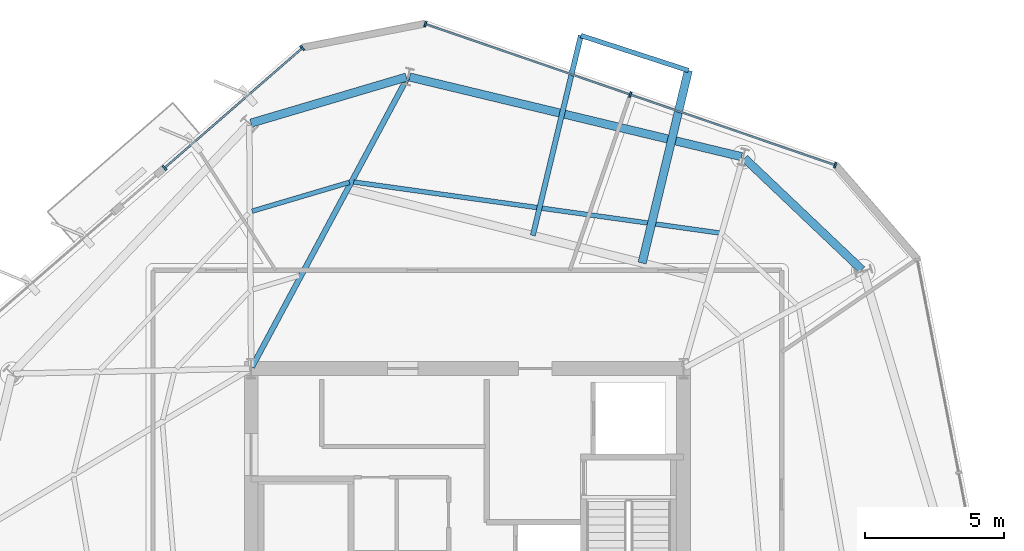
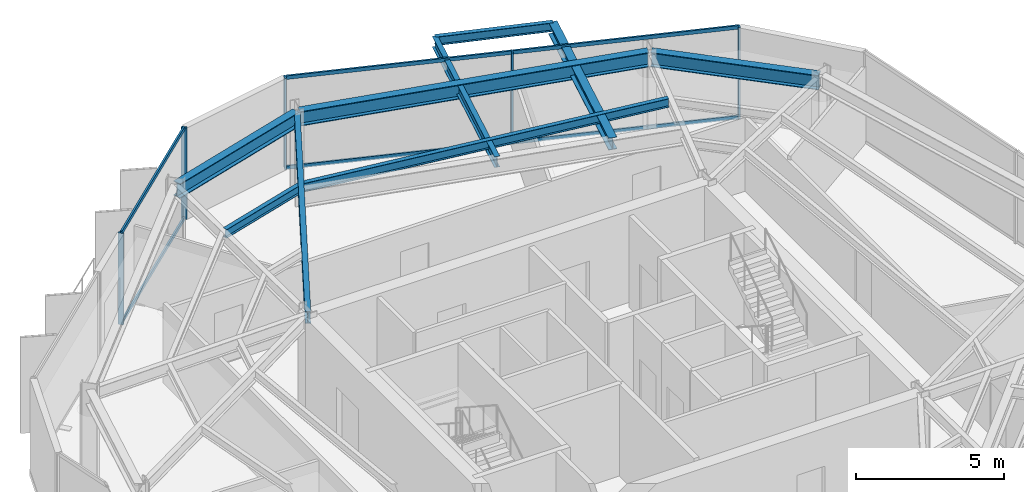
# One storey, part 5 of 11: 11 members, 9 beams, 2 elements without a shape of their own.
"""IFC4 building model written with IfcOpenShell, lengths in metres."""

import ifcopenshell
import ifcopenshell.guid

model = None  # the IFC model being written
_history = None  # IfcOwnerHistory: only IFC2X3 demands one
_inside = {}  # id of a spatial element -> (the spatial element, [elements in it])
_under = {}  # id of a project, library or spatial element -> (it, [spatial elements below it])
_declared = {}  # id of a project -> (the project, [libraries it declares])
_typed = {}  # id of a type object -> (the type object, [elements of that type])
_made_of = {}  # id of a material, layer set ... -> (it, [elements and type objects made of it])


def new_model(schema):
    """Start an empty IFC model of exactly this schema.

    Asked for "IFC4X3", IfcOpenShell would pick the latest addendum, in which some entities
    have other attributes; the version numbers below select the first issue.
    IFC2X3 requires an IfcOwnerHistory on every rooted entity: one is made here for all.
    """
    global model, _history
    if schema == "IFC4X3":
        model = ifcopenshell.file(schema_version=(4, 3, 0, 0))
    else:
        model = ifcopenshell.file(schema=schema)
    _inside.clear()
    _under.clear()
    _declared.clear()
    _typed.clear()
    _made_of.clear()
    _history = None
    if model.schema == "IFC2X3":
        org = make("IfcOrganization", Name="unknown")
        user = make(
            "IfcPersonAndOrganization",
            ThePerson=make("IfcPerson", FamilyName="unknown"),
            TheOrganization=org,
        )
        app = make(
            "IfcApplication",
            ApplicationDeveloper=org,
            Version="unknown",
            ApplicationFullName="unknown",
            ApplicationIdentifier="unknown",
        )
        _history = make(
            "IfcOwnerHistory",
            OwningUser=user,
            OwningApplication=app,
            ChangeAction="ADDED",
            CreationDate=0,
        )
    return model


def make(cls, **values):
    """One entity of the class cls with the attributes given. An attribute that is None is left unset."""
    return model.create_entity(
        cls, **{name: value for name, value in values.items() if value is not None}
    )


def rooted(cls, **values):
    """An entity with a GlobalId (a new one), such as an element, a storey or a relation."""
    return make(cls, GlobalId=ifcopenshell.guid.new(), OwnerHistory=_history, **values)


def si_unit(unit_type, name, prefix=None):
    """IfcSIUnit, for example si_unit("LENGTHUNIT", "METRE", prefix="MILLI")."""
    return make("IfcSIUnit", UnitType=unit_type, Prefix=prefix, Name=name)


def assignment(units):
    """IfcUnitAssignment: the units of a project."""
    return None if units is None else make("IfcUnitAssignment", Units=units)


def point(xyz):
    """IfcCartesianPoint."""
    return None if xyz is None else make("IfcCartesianPoint", Coordinates=xyz)


def direction(xyz):
    """IfcDirection."""
    return None if xyz is None else make("IfcDirection", DirectionRatios=xyz)


def frame(location, z_axis=None, x_axis=None):
    """IfcAxis2Placement3D, a coordinate frame: its origin and axes. An axis left out is left unset."""
    return make(
        "IfcAxis2Placement3D",
        Location=point(location),
        Axis=direction(z_axis),
        RefDirection=direction(x_axis),
    )


def frame_2d(location, x_axis=None):
    """IfcAxis2Placement2D, a coordinate frame in the plane: its origin and x axis."""
    return make(
        "IfcAxis2Placement2D", Location=point(location), RefDirection=direction(x_axis)
    )


def origin():
    """The frame at (0, 0, 0) with its axes left unset."""
    return frame((0.0, 0.0, 0.0))


def origin_2d():
    """The frame at (0, 0) in the plane with its x axis left unset."""
    return frame_2d((0.0, 0.0))


def place(relative_to, where):
    """IfcLocalPlacement: puts the frame where relative to a parent placement (None: the world)."""
    return make(
        "IfcLocalPlacement", PlacementRelTo=relative_to, RelativePlacement=where
    )


def context(
    kind, dimensions, precision=None, world=None, true_north=None, identifier=None
):
    """IfcGeometricRepresentationContext, for example the 3D "Model" context."""
    return make(
        "IfcGeometricRepresentationContext",
        ContextIdentifier=identifier,
        ContextType=kind,
        CoordinateSpaceDimension=dimensions,
        Precision=precision,
        WorldCoordinateSystem=world,
        TrueNorth=true_north,
    )


def subcontext(parent, identifier, kind, view, scale=None):
    """IfcGeometricRepresentationSubContext, for example "Body" below "Model"."""
    return make(
        "IfcGeometricRepresentationSubContext",
        ContextIdentifier=identifier,
        ContextType=kind,
        ParentContext=parent,
        TargetScale=scale,
        TargetView=view,
    )


def project(units=None, contexts=None):
    """IfcProject with its units and contexts."""
    return rooted(
        "IfcProject",
        Name="project",
        RepresentationContexts=contexts,
        UnitsInContext=assignment(units),
    )


def spatial(cls, under=None, at=None, **own):
    """A site, building, storey or space (cls), placed at a placement, below another one or the project."""
    s = rooted(cls, ObjectPlacement=at, **own)
    if under is not None:
        _under.setdefault(under.id(), (under, []))[1].append(s)
    return s


def profile(cls, at=None, kind="AREA", **sizes):
    """A parametric profile (cls). Its sizes go by their IFC names, for example OverallWidth=200.0."""
    return make(cls, ProfileType=kind, Position=at, **sizes)


def rectangle(**sizes):
    """IfcRectangleProfileDef."""
    return profile("IfcRectangleProfileDef", **sizes)


def i_section(**sizes):
    """IfcIShapeProfileDef."""
    return profile("IfcIShapeProfileDef", **sizes)


def extrude(swept, where, along, depth):
    """IfcExtrudedAreaSolid: the profile swept, set in the frame where, extruded along a direction by depth."""
    return make(
        "IfcExtrudedAreaSolid",
        SweptArea=swept,
        Position=where,
        ExtrudedDirection=direction(along),
        Depth=depth,
    )


def shape(context_of_items, identifier, shape_type, items):
    """IfcShapeRepresentation: the items that make up one representation, for example the "Body"."""
    return make(
        "IfcShapeRepresentation",
        ContextOfItems=context_of_items,
        RepresentationIdentifier=identifier,
        RepresentationType=shape_type,
        Items=items,
    )


def material(Name=None, Category=None):
    """IfcMaterial."""
    return make("IfcMaterial", Name=Name, Category=Category)


def layer(
    of_material, thickness, ventilated=None, Name=None, Category=None, Priority=None
):
    """IfcMaterialLayer: one layer of a wall or slab, of a material (None: an air gap)."""
    return make(
        "IfcMaterialLayer",
        Material=of_material,
        LayerThickness=thickness,
        IsVentilated=ventilated,
        Name=Name,
        Category=Category,
        Priority=Priority,
    )


def layer_set(layers, Name=None):
    """IfcMaterialLayerSet."""
    return make("IfcMaterialLayerSet", MaterialLayers=layers, LayerSetName=Name)


def material_profile(
    of_material, cross_section, Name=None, Category=None, Priority=None
):
    """IfcMaterialProfile: a cross section and its material."""
    return make(
        "IfcMaterialProfile",
        Name=Name,
        Material=of_material,
        Profile=cross_section,
        Priority=Priority,
        Category=Category,
    )


def profile_set(profiles, Name=None, composite=None):
    """IfcMaterialProfileSet."""
    return make(
        "IfcMaterialProfileSet",
        Name=Name,
        MaterialProfiles=profiles,
        CompositeProfile=composite,
    )


def made_of(thing, what):
    """Note that an element or type object is made of a material, layer set ...; save() writes the relation."""
    if what is not None:
        _made_of.setdefault(what.id(), (what, []))[1].append(thing)
    return thing


def type_object(cls, material=None, **own):
    """A type object (cls), such as IfcWallType, which elements share."""
    return made_of(rooted(cls, **own), material)


def element(
    cls,
    number,
    at=None,
    inside=None,
    cuts=None,
    type_object=None,
    material=None,
    context=None,
    identifier="Body",
    shape_type=None,
    held_by="IfcProductDefinitionShape",
    body=None,
    shapes=None,
    **own,
):
    """One element of the class cls, such as IfcWall. Its Tag is "e" and its number.

    at: its placement. inside: the storey or other place that contains it. cuts: it is an
    opening in that element (IfcRelVoidsElement). A single representation is given by context,
    identifier, shape_type and body (its items); several are given by shapes. held_by: the class
    of the entity that holds the representations. save() writes the other relations.
    """
    e = rooted(cls, Tag="e%d" % number, ObjectPlacement=at, **own)
    if body is not None:
        shapes = [shape(context, identifier, shape_type, body)]
    if shapes is not None:
        e.Representation = make(held_by, Representations=shapes)
    if inside is not None:
        _inside.setdefault(inside.id(), (inside, []))[1].append(e)
    if cuts is not None:
        rooted(
            "IfcRelVoidsElement", RelatingBuildingElement=cuts, RelatedOpeningElement=e
        )
    if type_object is not None:
        _typed.setdefault(type_object.id(), (type_object, []))[1].append(e)
    return made_of(e, material)


def aggregate(whole, parts):
    """IfcRelAggregates: a whole, such as a stair, and the parts it consists of."""
    return rooted("IfcRelAggregates", RelatingObject=whole, RelatedObjects=parts)


def save(model, path):
    """Write the relations noted so far, then the file.

    IfcRelAggregates (storeys below a building ...), IfcRelContainedInSpatialStructure (elements
    in a storey), IfcRelDefinesByType, IfcRelAssociatesMaterial and IfcRelDeclares: one each for
    every whole, place, type object, material and project.
    """
    for whole, parts in _under.values():
        aggregate(whole, parts)
    for where, things in _inside.values():
        rooted(
            "IfcRelContainedInSpatialStructure",
            RelatedElements=things,
            RelatingStructure=where,
        )
    for kind, things in _typed.values():
        rooted("IfcRelDefinesByType", RelatedObjects=things, RelatingType=kind)
    for what, things in _made_of.values():
        rooted("IfcRelAssociatesMaterial", RelatedObjects=things, RelatingMaterial=what)
    for by, libraries in _declared.values():
        rooted("IfcRelDeclares", RelatingContext=by, RelatedDefinitions=libraries)
    model.write(path)


model = new_model("IFC4")

# Units and contexts
model_context = context("Model", 3, precision=1e-05, world=origin(), true_north=direction((0.0, 1.0)))
body_context = subcontext(model_context, "Body", "Model", "MODEL_VIEW")
ifc_project = project(units=[si_unit("LENGTHUNIT", "METRE"), si_unit("AREAUNIT", "SQUARE_METRE"), si_unit("VOLUMEUNIT", "CUBIC_METRE"), si_unit("PLANEANGLEUNIT", "RADIAN"), si_unit("MASSUNIT", "GRAM", prefix="KILO")], contexts=[model_context])

# Site, building, storey
site_placement = place(None, origin())
site = spatial("IfcSite", under=ifc_project, at=site_placement, CompositionType="ELEMENT")
building_placement = place(site_placement, origin())
building = spatial("IfcBuilding", under=site, at=building_placement, Name="Kranzbogen Civic Tower", CompositionType="ELEMENT")
storey_placement = place(building_placement, frame((0.0, 0.0, 188.800048828125)))
storey = spatial("IfcBuildingStorey", under=building, at=storey_placement, Name="L45", CompositionType="ELEMENT", Elevation=188.800048828125)

# Beam
ifc_material_1 = material(Name="Steel S355", Category="steel")
ifc_material_profile_1 = material_profile(ifc_material_1, i_section(OverallWidth=0.18994140625, OverallDepth=0.449951171875, WebThickness=0.009521484375, FlangeThickness=0.0146484375, at=origin_2d()), Name="IPE 450")
ifc_profile_set_1 = profile_set([ifc_material_profile_1], Name="Steel S355")
beam_type_1 = type_object("IfcBeamType", Name="Braced Terrace Edge Beam IPE 450", PredefinedType="BEAM", material=ifc_profile_set_1)
beam_1_placement = place(storey_placement, frame((27.367919921875, 37.0048828125, 3.52490234375), z_axis=(0.23347868336, 0.972361920489, 0.0), x_axis=(-0.972361920489, 0.23347868336, 0.0)))
element("IfcBeam", 1, at=beam_1_placement, inside=storey, type_object=beam_type_1, Name="L46 back-spanned terrace beam L46-TB1-2", PredefinedType="BEAM", context=body_context, shape_type="SweptSolid", body=[
    extrude(i_section(OverallWidth=0.18994140625, OverallDepth=0.449951171875, WebThickness=0.009521484375, FlangeThickness=0.0146484375, at=origin_2d()), origin(), (0.0, 0.0, 1.0), 7.423095703125),
])

# Curtain wall, members
ifc_material_2 = material(Name="Pale Anodised Aluminium", Category="aluminium")
ifc_layer = layer(ifc_material_2, 0.219970703125, Name="Pale Anodised Aluminium")
ifc_layer_set = layer_set([ifc_layer], Name="Pale Anodised Aluminium")
curtain_wall_type = type_object("IfcCurtainWallType", Name="Zone 3 Stick Curtain Wall System CW-04", PredefinedType="USERDEFINED", material=ifc_layer_set)
curtain_wall_1_placement = place(storey_placement, origin())
curtain_wall_1 = element("IfcCurtainWall", 2, at=curtain_wall_1_placement, inside=storey, type_object=curtain_wall_type, Name="L45 curtain wall CW-L45-F1", ObjectType="STICK CURTAIN WALL", PredefinedType="USERDEFINED")
ifc_material_profile_2 = material_profile(ifc_material_2, rectangle(XDim=0.070068359375, YDim=0.199951171875, at=origin_2d()), Name="ALU-M 70x200")
ifc_profile_set_2 = profile_set([ifc_material_profile_2], Name="Pale Anodised Aluminium")
member_type_1 = type_object("IfcMemberType", Name="Curtain Wall Mullion ALU-M 70x200", PredefinedType="MULLION", material=ifc_profile_set_2)
member_1_placement = place(storey_placement, frame((38.280517578125, 39.539794921875, 0.0), z_axis=(0.0, 0.0, 1.0), x_axis=(-0.945510919871, 0.325590387457, 0.0)))
member_1 = element("IfcMember", 3, at=member_1_placement, type_object=member_type_1, Name="CW-04 mullion 1", PredefinedType="MULLION", context=body_context, shape_type="SweptSolid", body=[
    extrude(rectangle(XDim=0.070068359375, YDim=0.199951171875, at=origin_2d()), origin(), (0.0, 0.0, 1.0), 3.780029296875),
])
member_2_placement = place(storey_placement, frame((30.883544921875, 42.0869140625, 0.0), z_axis=(0.0, 0.0, 1.0), x_axis=(-0.945510919871, 0.325590387457, 0.0)))
member_2 = element("IfcMember", 4, at=member_2_placement, type_object=member_type_1, Name="CW-04 mullion 2", PredefinedType="MULLION", context=body_context, shape_type="SweptSolid", body=[
    extrude(rectangle(XDim=0.070068359375, YDim=0.199951171875, at=origin_2d()), origin(), (0.0, 0.0, 1.0), 3.780029296875),
])
member_3_placement = place(storey_placement, frame((23.486328125, 44.63427734375, 0.0), z_axis=(0.0, 0.0, 1.0), x_axis=(-0.945510919871, 0.325590387457, 0.0)))
member_3 = element("IfcMember", 5, at=member_3_placement, type_object=member_type_1, Name="CW-04 mullion 3", PredefinedType="MULLION", context=body_context, shape_type="SweptSolid", body=[
    extrude(rectangle(XDim=0.070068359375, YDim=0.199951171875, at=origin_2d()), origin(), (0.0, 0.0, 1.0), 3.780029296875),
])

curtain_wall_2_placement = place(storey_placement, origin())
curtain_wall_2 = element("IfcCurtainWall", 6, at=curtain_wall_2_placement, inside=storey, type_object=curtain_wall_type, Name="L45 curtain wall CW-L45-F2-S1", ObjectType="STICK CURTAIN WALL", PredefinedType="USERDEFINED")
member_4_placement = place(storey_placement, frame((19.04833984375, 43.771240234375, 0.0), z_axis=(0.0, 0.0, 1.0), x_axis=(-0.754686413094, -0.656085678773, 0.0)))
member_4 = element("IfcMember", 7, at=member_4_placement, type_object=member_type_1, Name="CW-04 mullion 1", PredefinedType="MULLION", context=body_context, shape_type="SweptSolid", body=[
    extrude(rectangle(XDim=0.070068359375, YDim=0.199951171875, at=origin_2d()), origin(), (0.0, 0.0, 1.0), 3.780029296875),
])
member_5_placement = place(storey_placement, frame((14.07275390625, 39.44580078125, 0.0), z_axis=(0.0, 0.0, 1.0), x_axis=(-0.754686413094, -0.656085678773, 0.0)))
member_5 = element("IfcMember", 8, at=member_5_placement, type_object=member_type_1, Name="CW-04 mullion 2", PredefinedType="MULLION", context=body_context, shape_type="SweptSolid", body=[
    extrude(rectangle(XDim=0.070068359375, YDim=0.199951171875, at=origin_2d()), origin(), (0.0, 0.0, 1.0), 3.780029296875),
])

# Member
ifc_material_profile_3 = material_profile(ifc_material_2, rectangle(XDim=0.070068359375, YDim=0.14990234375, at=origin_2d()), Name="ALU-T 70x150")
ifc_profile_set_3 = profile_set([ifc_material_profile_3], Name="Pale Anodised Aluminium")
member_type_2 = type_object("IfcMemberType", Name="Curtain Wall Transom ALU-T 70x150", PredefinedType="USERDEFINED", material=ifc_profile_set_3)
member_6_placement = place(storey_placement, frame((38.252197265625, 39.549560546875, 0.030029296875), z_axis=(-0.945514258152, 0.325580692964, 0.0), x_axis=(-0.325580692964, -0.945514258152, 0.0)))
member_6 = element("IfcMember", 9, at=member_6_placement, type_object=member_type_2, Name="CW-04 transom 1.1", ObjectType="TRANSOM", PredefinedType="USERDEFINED", context=body_context, shape_type="SweptSolid", body=[
    extrude(rectangle(XDim=0.070068359375, YDim=0.14990234375, at=origin_2d()), origin(), (0.0, 0.0, 1.0), 7.763427734375),
])

member_7_placement = place(storey_placement, frame((38.252197265625, 39.549560546875, 3.75), z_axis=(-0.945514258152, 0.325580692964, 0.0), x_axis=(-0.325580692964, -0.945514258152, 0.0)))
member_7 = element("IfcMember", 10, at=member_7_placement, type_object=member_type_2, Name="CW-04 transom 1.2", ObjectType="TRANSOM", PredefinedType="USERDEFINED", context=body_context, shape_type="SweptSolid", body=[
    extrude(rectangle(XDim=0.070068359375, YDim=0.14990234375, at=origin_2d()), origin(), (0.0, 0.0, 1.0), 7.763427734375),
])

member_8_placement = place(storey_placement, frame((30.855224609375, 42.0966796875, 0.030029296875), z_axis=(-0.945507910821, 0.325599125574, 0.0), x_axis=(-0.325599125574, -0.945507910821, 0.0)))
member_8 = element("IfcMember", 11, at=member_8_placement, type_object=member_type_2, Name="CW-04 transom 2.1", ObjectType="TRANSOM", PredefinedType="USERDEFINED", context=body_context, shape_type="SweptSolid", body=[
    extrude(rectangle(XDim=0.070068359375, YDim=0.14990234375, at=origin_2d()), origin(), (0.0, 0.0, 1.0), 7.763671875),
])

member_9_placement = place(storey_placement, frame((30.855224609375, 42.0966796875, 3.75), z_axis=(-0.945507910821, 0.325599125574, 0.0), x_axis=(-0.325599125574, -0.945507910821, 0.0)))
member_9 = element("IfcMember", 12, at=member_9_placement, type_object=member_type_2, Name="CW-04 transom 2.2", ObjectType="TRANSOM", PredefinedType="USERDEFINED", context=body_context, shape_type="SweptSolid", body=[
    extrude(rectangle(XDim=0.070068359375, YDim=0.14990234375, at=origin_2d()), origin(), (0.0, 0.0, 1.0), 7.763671875),
])

aggregate(curtain_wall_1, [member_1, member_2, member_3, member_6, member_7, member_8, member_9])

member_10_placement = place(storey_placement, frame((19.025634765625, 43.751708984375, 0.030029296875), z_axis=(-0.754677119087, -0.656096369389, 0.0), x_axis=(0.656096369389, -0.754677119087, 0.0)))
member_10 = element("IfcMember", 13, at=member_10_placement, type_object=member_type_2, Name="CW-04 transom 1.1", ObjectType="TRANSOM", PredefinedType="USERDEFINED", context=body_context, shape_type="SweptSolid", body=[
    extrude(rectangle(XDim=0.070068359375, YDim=0.14990234375, at=origin_2d()), origin(), (0.0, 0.0, 1.0), 6.533203125),
])

member_11_placement = place(storey_placement, frame((19.025634765625, 43.751708984375, 3.75), z_axis=(-0.754677119087, -0.656096369389, 0.0), x_axis=(0.656096369389, -0.754677119087, 0.0)))
member_11 = element("IfcMember", 14, at=member_11_placement, type_object=member_type_2, Name="CW-04 transom 1.2", ObjectType="TRANSOM", PredefinedType="USERDEFINED", context=body_context, shape_type="SweptSolid", body=[
    extrude(rectangle(XDim=0.070068359375, YDim=0.14990234375, at=origin_2d()), origin(), (0.0, 0.0, 1.0), 6.533203125),
])

aggregate(curtain_wall_2, [member_4, member_5, member_10, member_11])

# Beams
ifc_material_profile_4 = material_profile(ifc_material_1, i_section(OverallWidth=0.300048828125, OverallDepth=0.5, WebThickness=0.014404296875, FlangeThickness=0.028076171875, at=origin_2d()), Name="HEB 500")
ifc_profile_set_4 = profile_set([ifc_material_profile_4], Name="Steel S355")
beam_type_2 = type_object("IfcBeamType", Name="Perimeter Tube Spandrel Beam HEB 500", PredefinedType="SPANDREL", material=ifc_profile_set_4)
beam_2_placement = place(storey_placement, frame((31.31201171875, 36.011962890625, 3.5), z_axis=(0.233468537852, 0.972364356521, 0.0), x_axis=(-0.972364356521, 0.233468537852, 0.0)))
element("IfcBeam", 15, at=beam_2_placement, inside=storey, type_object=beam_type_2, Name="L46 back-spanned terrace beam L46-TB1-1", PredefinedType="SPANDREL", context=body_context, shape_type="SweptSolid", body=[
    extrude(i_section(OverallWidth=0.300048828125, OverallDepth=0.5, WebThickness=0.014404296875, FlangeThickness=0.028076171875, at=origin_2d()), origin(), (0.0, 0.0, 1.0), 7.1484375),
])
ifc_material_profile_5 = material_profile(ifc_material_1, i_section(OverallWidth=0.300048828125, OverallDepth=0.60009765625, WebThickness=0.015380859375, FlangeThickness=0.030029296875, at=origin_2d()), Name="HEB 600")
ifc_profile_set_5 = profile_set([ifc_material_profile_5], Name="Steel S355")
beam_type_3 = type_object("IfcBeamType", Name="Perimeter Tube Spandrel Beam HEB 600", PredefinedType="SPANDREL", material=ifc_profile_set_5)
beam_3_placement = place(storey_placement, frame((39.2490234375, 35.764892578125, 3.47998046875), z_axis=(-0.725245206788, 0.688490660816, 0.0), x_axis=(-0.688490660816, -0.725245206788, 0.0)))
element("IfcBeam", 16, at=beam_3_placement, inside=storey, type_object=beam_type_3, Name="L45 perimeter spandrel beam 07", PredefinedType="SPANDREL", context=body_context, shape_type="SweptSolid", body=[
    extrude(i_section(OverallWidth=0.300048828125, OverallDepth=0.60009765625, WebThickness=0.015380859375, FlangeThickness=0.030029296875, at=origin_2d()), origin(), (0.0, 0.0, 1.0), 5.85205078125),
])
beam_4_placement = place(storey_placement, frame((34.903076171875, 39.84912109375, 3.47998046875), z_axis=(-0.972377592092, 0.233413406637, 0.0), x_axis=(-0.233413406637, -0.972377592092, 0.0)))
element("IfcBeam", 17, at=beam_4_placement, inside=storey, type_object=beam_type_3, Name="L45 perimeter spandrel beam 08", PredefinedType="SPANDREL", context=body_context, shape_type="SweptSolid", body=[
    extrude(i_section(OverallWidth=0.300048828125, OverallDepth=0.60009765625, WebThickness=0.015380859375, FlangeThickness=0.030029296875, at=origin_2d()), origin(), (0.0, 0.0, 1.0), 12.32568359375),
])
beam_5_placement = place(storey_placement, frame((22.802001953125, 42.722900390625, 3.47998046875), z_axis=(-0.9588296723, -0.283981794341, 0.0), x_axis=(0.283981794341, -0.9588296723, 0.0)))
element("IfcBeam", 18, at=beam_5_placement, inside=storey, type_object=beam_type_3, Name="L45 perimeter spandrel beam 09", PredefinedType="SPANDREL", context=body_context, shape_type="SweptSolid", body=[
    extrude(i_section(OverallWidth=0.300048828125, OverallDepth=0.60009765625, WebThickness=0.015380859375, FlangeThickness=0.030029296875, at=origin_2d()), origin(), (0.0, 0.0, 1.0), 5.85205078125),
])
ifc_material_profile_6 = material_profile(ifc_material_1, i_section(OverallWidth=0.199951171875, OverallDepth=0.5, WebThickness=0.01025390625, FlangeThickness=0.01611328125, at=origin_2d()), Name="IPE 500")
ifc_profile_set_6 = profile_set([ifc_material_profile_6], Name="Steel S355")
beam_type_4 = type_object("IfcBeamType", Name="Radial Tower Floor Girder IPE 500", PredefinedType="BEAM", material=ifc_profile_set_6)
beam_6_placement = place(storey_placement, frame((22.83203125, 42.68701171875, 3.530029296875), z_axis=(-0.473160413549, -0.880976289721, 0.0), x_axis=(0.880976289721, -0.473160413549, 0.0)))
element("IfcBeam", 19, at=beam_6_placement, inside=storey, type_object=beam_type_4, Name="L45 radial floor girder 09", PredefinedType="BEAM", context=body_context, shape_type="SweptSolid", body=[
    extrude(i_section(OverallWidth=0.199951171875, OverallDepth=0.5, WebThickness=0.01025390625, FlangeThickness=0.01611328125, at=origin_2d()), origin(), (0.0, 0.0, 1.0), 11.84375),
])
ifc_material_profile_7 = material_profile(ifc_material_1, i_section(OverallWidth=0.169921875, OverallDepth=0.360107421875, WebThickness=0.008056640625, FlangeThickness=0.0126953125, at=origin_2d()), Name="IPE 360")
ifc_profile_set_7 = profile_set([ifc_material_profile_7], Name="Steel S355")
beam_type_5 = type_object("IfcBeamType", Name="Secondary Composite Floor Joist IPE 360", PredefinedType="JOIST", material=ifc_profile_set_7)
beam_7_placement = place(storey_placement, frame((34.10400390625, 37.096923828125, 3.599853515625), z_axis=(-0.990445837232, 0.137902296968, 0.0), x_axis=(-0.137902296968, -0.990445837232, 0.0)))
element("IfcBeam", 20, at=beam_7_placement, inside=storey, type_object=beam_type_5, Name="L45 secondary floor joist 1.08", PredefinedType="JOIST", context=body_context, shape_type="SweptSolid", body=[
    extrude(i_section(OverallWidth=0.169921875, OverallDepth=0.360107421875, WebThickness=0.008056640625, FlangeThickness=0.0126953125, at=origin_2d()), origin(), (0.0, 0.0, 1.0), 13.329345703125),
])
beam_8_placement = place(storey_placement, frame((20.74609375, 38.923095703125, 3.599853515625), z_axis=(-0.958843823165, -0.283934011309, 0.0), x_axis=(0.283934011309, -0.958843823165, 0.0)))
element("IfcBeam", 21, at=beam_8_placement, inside=storey, type_object=beam_type_5, Name="L45 secondary floor joist 1.09", PredefinedType="JOIST", context=body_context, shape_type="SweptSolid", body=[
    extrude(i_section(OverallWidth=0.169921875, OverallDepth=0.360107421875, WebThickness=0.008056640625, FlangeThickness=0.0126953125, at=origin_2d()), origin(), (0.0, 0.0, 1.0), 3.662841796875),
])
beam_9_placement = place(storey_placement, frame((32.98095703125, 42.962890625, 3.570068359375), z_axis=(-0.951102655543, 0.308874956283, 0.0), x_axis=(-0.308874956283, -0.951102655543, 0.0)))
element("IfcBeam", 22, at=beam_9_placement, inside=storey, type_object=beam_type_5, Name="L46 terrace outer edge trimmer L46-TB1", PredefinedType="JOIST", context=body_context, shape_type="SweptSolid", body=[
    extrude(i_section(OverallWidth=0.169921875, OverallDepth=0.360107421875, WebThickness=0.008056640625, FlangeThickness=0.0126953125, at=origin_2d()), origin(), (0.0, 0.0, 1.0), 4.079345703125),
])

save(model, "model.ifc")
